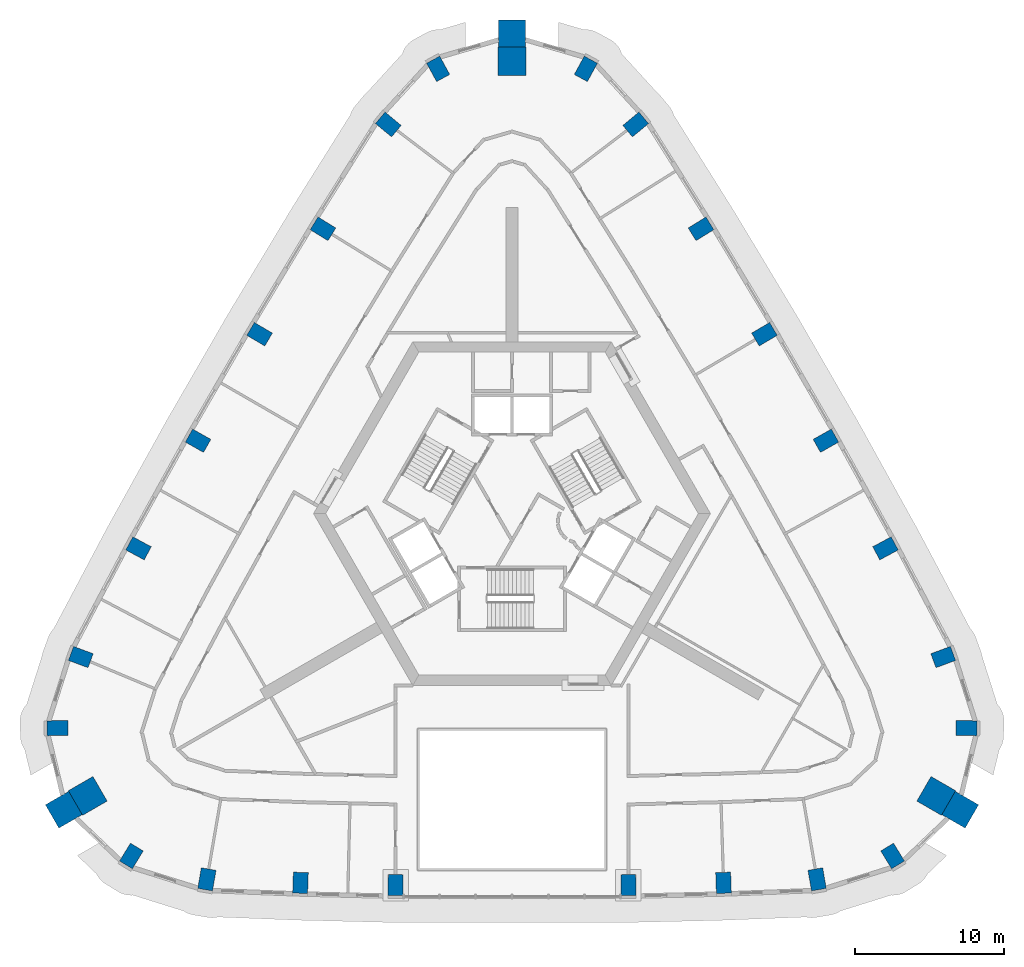
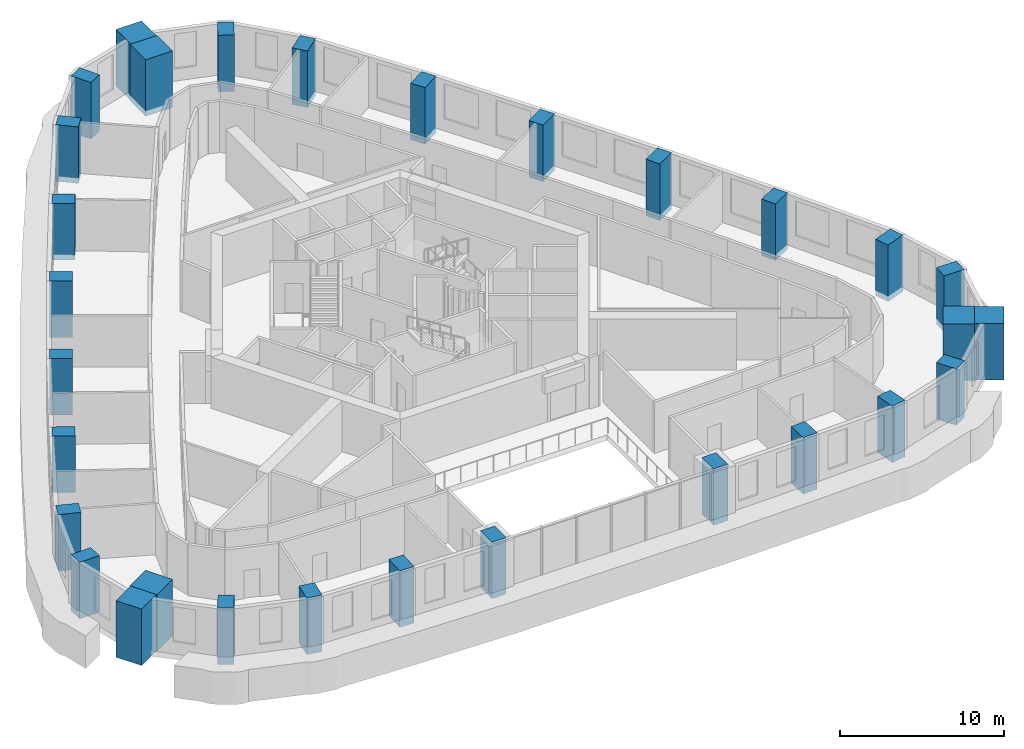
# One storey, part 1 of 13: 30 columns.
"""IFC4 building model written with IfcOpenShell, lengths in metres."""

from ifc_helpers import new_model, si_unit, direction, frame, origin, origin_2d, place, context, subcontext, project, spatial, rectangle, extrude, material, material_profile, profile_set, type_object, element, save


model = new_model("IFC4")

# Units and contexts
model_context = context("Model", 3, precision=1e-05, world=origin(), true_north=direction((0.0, 1.0)))
body_context = subcontext(model_context, "Body", "Model", "MODEL_VIEW")
ifc_project = project(units=[si_unit("LENGTHUNIT", "METRE"), si_unit("AREAUNIT", "SQUARE_METRE"), si_unit("VOLUMEUNIT", "CUBIC_METRE"), si_unit("PLANEANGLEUNIT", "RADIAN"), si_unit("MASSUNIT", "GRAM", prefix="KILO")], contexts=[model_context])

# Site, building, storey
site_placement = place(None, origin())
site = spatial("IfcSite", under=ifc_project, at=site_placement, CompositionType="ELEMENT")
building_placement = place(site_placement, origin())
building = spatial("IfcBuilding", under=site, at=building_placement, Name="Entoto Arch Interchange Tower", CompositionType="ELEMENT")
storey_placement = place(building_placement, frame((0.0, 0.0, 219.199951171875)))
storey = spatial("IfcBuildingStorey", under=building, at=storey_placement, Name="L49", CompositionType="ELEMENT", Elevation=219.199951171875)

# Columns
ifc_material_1 = material(Name="Concrete C50/60", Category="concrete")
ifc_material_profile_1 = material_profile(ifc_material_1, rectangle(XDim=1.0, YDim=1.39990234375, at=origin_2d()))
ifc_profile_set_1 = profile_set([ifc_material_profile_1], Name="Concrete C50/60")
column_type_1 = type_object("IfcColumnType", Name="Column RC 1000x1400 C50/60", PredefinedType="COLUMN", material=ifc_profile_set_1)
for number, where, z_axis, x_axis, name in (
    (1, (-20.4169921875, -21.97509765625, -0.39990234375), (0.0, 0.0, 1.0), (-0.985541276773, 0.169435509195, 0.0), "Column S01 L49"),
    (2, (-14.154052734375, -22.2080078125, -0.39990234375), (0.0, 0.0, 1.0), (-0.999420902032, 0.034027350502, 0.0), "Column S02 L49"),
    (3, (-7.7880859375, -22.361083984375, -0.39990234375), (0.0, 0.0, 1.0), (-0.999913181484, 0.013176854508, 0.0), "Column S03 L49"),
    (4, (7.7880859375, -22.361083984375, -0.39990234375), (0.0, 0.0, 1.0), (0.999913181484, 0.013176854508, 0.0), "Column S04 L49"),
    (5, (14.154052734375, -22.2080078125, -0.39990234375), (0.0, 0.0, 1.0), (0.999420902032, 0.034027350502, 0.0), "Column S05 L49"),
    (6, (20.4169921875, -21.97509765625, -0.39990234375), (0.0, 0.0, 1.0), (0.985541276773, 0.169435509195, 0.0), "Column S06 L49"),
    (7, (25.468994140625, -20.412109375, -0.39990234375), (0.0, 0.0, 1.0), (0.853423465127, 0.521218178089, 0.0), "Column SE1 L49"),
    (8, (30.412109375, -11.85107421875, -0.39990234375), (0.0, 0.0, 1.0), (0.024676450576, 0.99969549003, 0.0), "Column SE3 L49"),
    (9, (28.85595703125, -7.10009765625, -0.39990234375), (0.0, 0.0, 1.0), (-0.34706660219, 0.937840484114, 0.0), "Column NE01 L49"),
    (10, (24.992919921875, 0.175048828125, -0.39990234375), (0.0, 0.0, 1.0), (-0.474134310084, 0.880452529102, 0.0), "Column NE02 L49"),
    (11, (21.007080078125, 7.376953125, -0.39990234375), (0.0, 0.0, 1.0), (-0.491435856222, 0.870913772551, 0.0), "Column NE03 L49"),
    (12, (16.89208984375, 14.50390625, -0.39990234375), (0.0, 0.0, 1.0), (-0.508515523424, 0.861052822095, 0.0), "Column NE04 L49"),
    (13, (12.64794921875, 21.556884765625, -0.39990234375), (0.0, 0.0, 1.0), (-0.525427101986, 0.850838621889, 0.0), "Column NE05 L49"),
    (14, (8.278076171875, 28.5400390625, -0.39990234375), (0.0, 0.0, 1.0), (-0.638660382845, 0.769488736359, 0.0), "Column NE06 L49"),
    (15, (4.94189453125, 32.262939453125, -0.39990234375), (0.0, 0.0, 1.0), (-0.878099915703, 0.478477311941, 0.0), "Column N1 L49"),
    (16, (-4.94189453125, 32.262939453125, -0.39990234375), (0.0, 0.0, 1.0), (0.878099915703, 0.478477311941, 0.0), "Column N3 L49"),
    (17, (-8.278076171875, 28.5400390625, -0.39990234375), (0.0, 0.0, 1.0), (0.638660382845, 0.769488736359, 0.0), "Column NW01 L49"),
    (18, (-12.64794921875, 21.556884765625, -0.39990234375), (0.0, 0.0, 1.0), (0.525427101986, 0.850838621889, 0.0), "Column NW02 L49"),
    (19, (-16.89208984375, 14.50390625, -0.39990234375), (0.0, 0.0, 1.0), (0.508515523424, 0.861052822095, 0.0), "Column NW03 L49"),
    (20, (-21.007080078125, 7.376953125, -0.39990234375), (0.0, 0.0, 1.0), (0.491435856222, 0.870913772551, 0.0), "Column NW04 L49"),
    (21, (-24.992919921875, 0.175048828125, -0.39990234375), (0.0, 0.0, 1.0), (0.474134310084, 0.880452529102, 0.0), "Column NW05 L49"),
    (22, (-28.85595703125, -7.10009765625, -0.39990234375), (0.0, 0.0, 1.0), (0.34706660219, 0.937840484114, 0.0), "Column NW06 L49"),
    (23, (-30.412109375, -11.85107421875, -0.39990234375), (0.0, 0.0, 1.0), (-0.024676450576, 0.99969549003, 0.0), "Column SW1 L49"),
    (24, (-25.468994140625, -20.412109375, -0.39990234375), (0.0, 0.0, 1.0), (-0.853423465127, 0.521218178089, 0.0), "Column SW3 L49"),
):
    element("IfcColumn", number, at=place(storey_placement, frame(where, z_axis=z_axis, x_axis=x_axis)), inside=storey, type_object=column_type_1, Name=name, PredefinedType="COLUMN", context=body_context, shape_type="SweptSolid", body=[
        extrude(rectangle(XDim=1.0, YDim=1.39990234375, at=origin_2d()), origin(), (0.0, 0.0, 1.0), 4.199951171875),
    ])
ifc_material_2 = material(Name="Precast concrete C40/50", Category="concrete")
ifc_material_profile_2 = material_profile(ifc_material_2, rectangle(XDim=1.800048828125, YDim=1.800048828125, at=origin_2d()))
ifc_profile_set_2 = profile_set([ifc_material_profile_2], Name="Precast concrete C40/50")
column_type_2 = type_object("IfcColumnType", Name="Frame post RC 1800x1800 precast C40/50", PredefinedType="COLUMN", material=ifc_profile_set_2)
for number, where, z_axis, x_axis, name in (
    (25, (29.991943359375, -17.31591796875, -0.39990234375), (0.0, 0.0, 1.0), (-0.866025403784, 0.5, 0.0), "Frame post SE L49"),
    (26, (0.0, 34.632080078125, -0.39990234375), (0.0, 0.0, 1.0), (0.0, 1.0, 0.0), "Frame post N L49"),
    (27, (-29.991943359375, -17.31591796875, -0.39990234375), (0.0, 0.0, 1.0), (0.866025403784, 0.5, 0.0), "Frame post SW L49"),
):
    element("IfcColumn", number, at=place(storey_placement, frame(where, z_axis=z_axis, x_axis=x_axis)), inside=storey, type_object=column_type_2, Name=name, PredefinedType="COLUMN", context=body_context, shape_type="SweptSolid", body=[
        extrude(rectangle(XDim=1.800048828125, YDim=1.800048828125, at=origin_2d()), origin(), (0.0, 0.0, 1.0), 4.199951171875),
    ])
ifc_material_profile_3 = material_profile(ifc_material_1, rectangle(XDim=1.89990234375, YDim=1.89990234375, at=origin_2d()))
ifc_profile_set_3 = profile_set([ifc_material_profile_3], Name="Concrete C50/60")
column_type_3 = type_object("IfcColumnType", Name="Mega column RC 1900x1900 C50/60", PredefinedType="COLUMN", material=ifc_profile_set_3)
for number, where, z_axis, x_axis, name in (
    (28, (28.389892578125, -16.39111328125, -0.39990234375), (0.0, 0.0, 1.0), (-0.866025403784, 0.5, 0.0), "Corner mega column SE2 L49"),
    (29, (0.0, 32.781982421875, -0.39990234375), (0.0, 0.0, 1.0), (0.0, 1.0, 0.0), "Corner mega column N2 L49"),
    (30, (-28.389892578125, -16.39111328125, -0.39990234375), (0.0, 0.0, 1.0), (0.866025403784, 0.5, 0.0), "Corner mega column SW2 L49"),
):
    element("IfcColumn", number, at=place(storey_placement, frame(where, z_axis=z_axis, x_axis=x_axis)), inside=storey, type_object=column_type_3, Name=name, PredefinedType="COLUMN", context=body_context, shape_type="SweptSolid", body=[
        extrude(rectangle(XDim=1.89990234375, YDim=1.89990234375, at=origin_2d()), origin(), (0.0, 0.0, 1.0), 4.199951171875),
    ])

save(model, "model.ifc")
